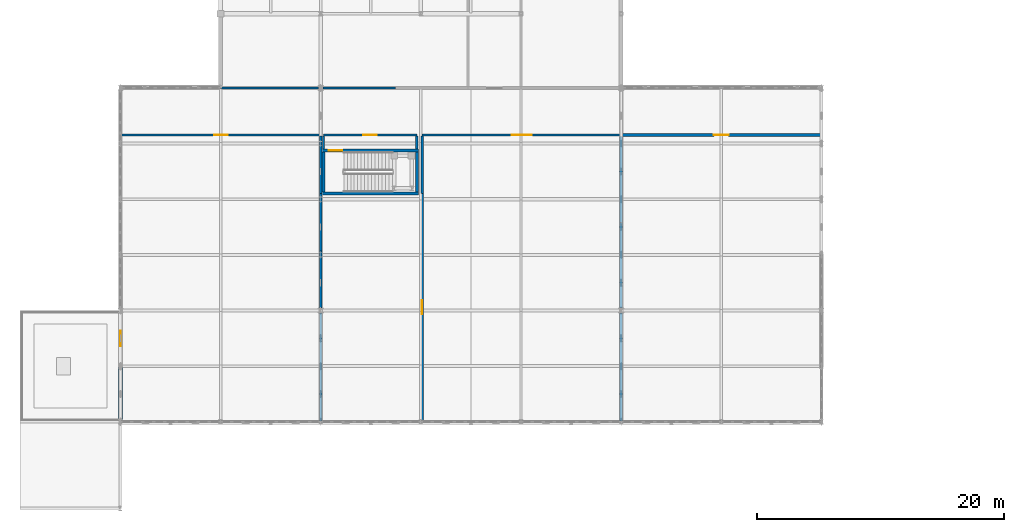
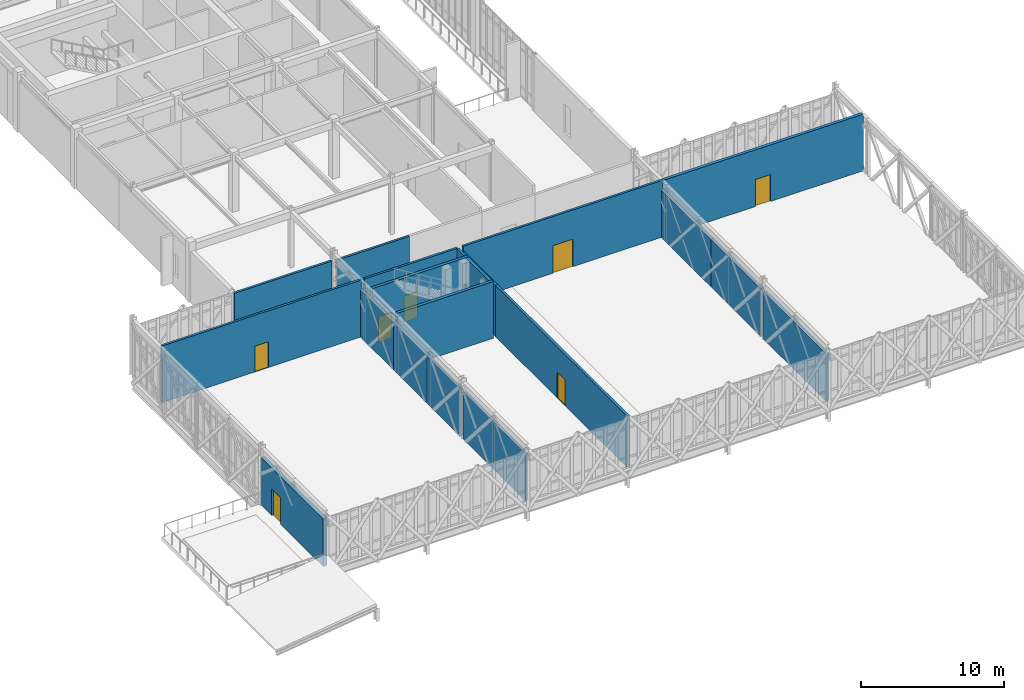
# One storey, part 92 of 107: 22 walls, 7 doors, 7 openings.
"""IFC4 building model written with IfcOpenShell, lengths in metres."""

import ifcopenshell
import ifcopenshell.guid

model = None  # the IFC model being written
_history = None  # IfcOwnerHistory: only IFC2X3 demands one
_inside = {}  # id of a spatial element -> (the spatial element, [elements in it])
_under = {}  # id of a project, library or spatial element -> (it, [spatial elements below it])
_declared = {}  # id of a project -> (the project, [libraries it declares])
_typed = {}  # id of a type object -> (the type object, [elements of that type])
_made_of = {}  # id of a material, layer set ... -> (it, [elements and type objects made of it])


def new_model(schema):
    """Start an empty IFC model of exactly this schema.

    Asked for "IFC4X3", IfcOpenShell would pick the latest addendum, in which some entities
    have other attributes; the version numbers below select the first issue.
    IFC2X3 requires an IfcOwnerHistory on every rooted entity: one is made here for all.
    """
    global model, _history
    if schema == "IFC4X3":
        model = ifcopenshell.file(schema_version=(4, 3, 0, 0))
    else:
        model = ifcopenshell.file(schema=schema)
    _inside.clear()
    _under.clear()
    _declared.clear()
    _typed.clear()
    _made_of.clear()
    _history = None
    if model.schema == "IFC2X3":
        org = make("IfcOrganization", Name="unknown")
        user = make(
            "IfcPersonAndOrganization",
            ThePerson=make("IfcPerson", FamilyName="unknown"),
            TheOrganization=org,
        )
        app = make(
            "IfcApplication",
            ApplicationDeveloper=org,
            Version="unknown",
            ApplicationFullName="unknown",
            ApplicationIdentifier="unknown",
        )
        _history = make(
            "IfcOwnerHistory",
            OwningUser=user,
            OwningApplication=app,
            ChangeAction="ADDED",
            CreationDate=0,
        )
    return model


def make(cls, **values):
    """One entity of the class cls with the attributes given. An attribute that is None is left unset."""
    return model.create_entity(
        cls, **{name: value for name, value in values.items() if value is not None}
    )


def rooted(cls, **values):
    """An entity with a GlobalId (a new one), such as an element, a storey or a relation."""
    return make(cls, GlobalId=ifcopenshell.guid.new(), OwnerHistory=_history, **values)


def si_unit(unit_type, name, prefix=None):
    """IfcSIUnit, for example si_unit("LENGTHUNIT", "METRE", prefix="MILLI")."""
    return make("IfcSIUnit", UnitType=unit_type, Prefix=prefix, Name=name)


def assignment(units):
    """IfcUnitAssignment: the units of a project."""
    return None if units is None else make("IfcUnitAssignment", Units=units)


def point(xyz):
    """IfcCartesianPoint."""
    return None if xyz is None else make("IfcCartesianPoint", Coordinates=xyz)


def direction(xyz):
    """IfcDirection."""
    return None if xyz is None else make("IfcDirection", DirectionRatios=xyz)


def frame(location, z_axis=None, x_axis=None):
    """IfcAxis2Placement3D, a coordinate frame: its origin and axes. An axis left out is left unset."""
    return make(
        "IfcAxis2Placement3D",
        Location=point(location),
        Axis=direction(z_axis),
        RefDirection=direction(x_axis),
    )


def frame_2d(location, x_axis=None):
    """IfcAxis2Placement2D, a coordinate frame in the plane: its origin and x axis."""
    return make(
        "IfcAxis2Placement2D", Location=point(location), RefDirection=direction(x_axis)
    )


def origin():
    """The frame at (0, 0, 0) with its axes left unset."""
    return frame((0.0, 0.0, 0.0))


def place(relative_to, where):
    """IfcLocalPlacement: puts the frame where relative to a parent placement (None: the world)."""
    return make(
        "IfcLocalPlacement", PlacementRelTo=relative_to, RelativePlacement=where
    )


def context(
    kind, dimensions, precision=None, world=None, true_north=None, identifier=None
):
    """IfcGeometricRepresentationContext, for example the 3D "Model" context."""
    return make(
        "IfcGeometricRepresentationContext",
        ContextIdentifier=identifier,
        ContextType=kind,
        CoordinateSpaceDimension=dimensions,
        Precision=precision,
        WorldCoordinateSystem=world,
        TrueNorth=true_north,
    )


def subcontext(parent, identifier, kind, view, scale=None):
    """IfcGeometricRepresentationSubContext, for example "Body" below "Model"."""
    return make(
        "IfcGeometricRepresentationSubContext",
        ContextIdentifier=identifier,
        ContextType=kind,
        ParentContext=parent,
        TargetScale=scale,
        TargetView=view,
    )


def project(units=None, contexts=None):
    """IfcProject with its units and contexts."""
    return rooted(
        "IfcProject",
        Name="project",
        RepresentationContexts=contexts,
        UnitsInContext=assignment(units),
    )


def spatial(cls, under=None, at=None, **own):
    """A site, building, storey or space (cls), placed at a placement, below another one or the project."""
    s = rooted(cls, ObjectPlacement=at, **own)
    if under is not None:
        _under.setdefault(under.id(), (under, []))[1].append(s)
    return s


def profile(cls, at=None, kind="AREA", **sizes):
    """A parametric profile (cls). Its sizes go by their IFC names, for example OverallWidth=200.0."""
    return make(cls, ProfileType=kind, Position=at, **sizes)


def rectangle(**sizes):
    """IfcRectangleProfileDef."""
    return profile("IfcRectangleProfileDef", **sizes)


def extrude(swept, where, along, depth):
    """IfcExtrudedAreaSolid: the profile swept, set in the frame where, extruded along a direction by depth."""
    return make(
        "IfcExtrudedAreaSolid",
        SweptArea=swept,
        Position=where,
        ExtrudedDirection=direction(along),
        Depth=depth,
    )


def shape(context_of_items, identifier, shape_type, items):
    """IfcShapeRepresentation: the items that make up one representation, for example the "Body"."""
    return make(
        "IfcShapeRepresentation",
        ContextOfItems=context_of_items,
        RepresentationIdentifier=identifier,
        RepresentationType=shape_type,
        Items=items,
    )


def material(Name=None, Category=None):
    """IfcMaterial."""
    return make("IfcMaterial", Name=Name, Category=Category)


def layer(
    of_material, thickness, ventilated=None, Name=None, Category=None, Priority=None
):
    """IfcMaterialLayer: one layer of a wall or slab, of a material (None: an air gap)."""
    return make(
        "IfcMaterialLayer",
        Material=of_material,
        LayerThickness=thickness,
        IsVentilated=ventilated,
        Name=Name,
        Category=Category,
        Priority=Priority,
    )


def layer_set(layers, Name=None):
    """IfcMaterialLayerSet."""
    return make("IfcMaterialLayerSet", MaterialLayers=layers, LayerSetName=Name)


def made_of(thing, what):
    """Note that an element or type object is made of a material, layer set ...; save() writes the relation."""
    if what is not None:
        _made_of.setdefault(what.id(), (what, []))[1].append(thing)
    return thing


def type_object(cls, material=None, **own):
    """A type object (cls), such as IfcWallType, which elements share."""
    return made_of(rooted(cls, **own), material)


def element(
    cls,
    number,
    at=None,
    inside=None,
    cuts=None,
    type_object=None,
    material=None,
    context=None,
    identifier="Body",
    shape_type=None,
    held_by="IfcProductDefinitionShape",
    body=None,
    shapes=None,
    **own,
):
    """One element of the class cls, such as IfcWall. Its Tag is "e" and its number.

    at: its placement. inside: the storey or other place that contains it. cuts: it is an
    opening in that element (IfcRelVoidsElement). A single representation is given by context,
    identifier, shape_type and body (its items); several are given by shapes. held_by: the class
    of the entity that holds the representations. save() writes the other relations.
    """
    e = rooted(cls, Tag="e%d" % number, ObjectPlacement=at, **own)
    if body is not None:
        shapes = [shape(context, identifier, shape_type, body)]
    if shapes is not None:
        e.Representation = make(held_by, Representations=shapes)
    if inside is not None:
        _inside.setdefault(inside.id(), (inside, []))[1].append(e)
    if cuts is not None:
        rooted(
            "IfcRelVoidsElement", RelatingBuildingElement=cuts, RelatedOpeningElement=e
        )
    if type_object is not None:
        _typed.setdefault(type_object.id(), (type_object, []))[1].append(e)
    return made_of(e, material)


def fill(opening, filler):
    """IfcRelFillsElement: the door or window that sits in an opening."""
    return rooted(
        "IfcRelFillsElement",
        RelatingOpeningElement=opening,
        RelatedBuildingElement=filler,
    )


def aggregate(whole, parts):
    """IfcRelAggregates: a whole, such as a stair, and the parts it consists of."""
    return rooted("IfcRelAggregates", RelatingObject=whole, RelatedObjects=parts)


def save(model, path):
    """Write the relations noted so far, then the file.

    IfcRelAggregates (storeys below a building ...), IfcRelContainedInSpatialStructure (elements
    in a storey), IfcRelDefinesByType, IfcRelAssociatesMaterial and IfcRelDeclares: one each for
    every whole, place, type object, material and project.
    """
    for whole, parts in _under.values():
        aggregate(whole, parts)
    for where, things in _inside.values():
        rooted(
            "IfcRelContainedInSpatialStructure",
            RelatedElements=things,
            RelatingStructure=where,
        )
    for kind, things in _typed.values():
        rooted("IfcRelDefinesByType", RelatedObjects=things, RelatingType=kind)
    for what, things in _made_of.values():
        rooted("IfcRelAssociatesMaterial", RelatedObjects=things, RelatingMaterial=what)
    for by, libraries in _declared.values():
        rooted("IfcRelDeclares", RelatingContext=by, RelatedDefinitions=libraries)
    model.write(path)


model = new_model("IFC4")

# Units and contexts
model_context = context("Model", 3, precision=1e-05, world=origin(), true_north=direction((0.0, 1.0)))
body_context = subcontext(model_context, "Body", "Model", "MODEL_VIEW")
ifc_project = project(units=[si_unit("LENGTHUNIT", "METRE"), si_unit("AREAUNIT", "SQUARE_METRE"), si_unit("VOLUMEUNIT", "CUBIC_METRE"), si_unit("PLANEANGLEUNIT", "RADIAN"), si_unit("MASSUNIT", "GRAM", prefix="KILO")], contexts=[model_context])

# Site, building, storey
site_placement = place(None, origin())
site = spatial("IfcSite", under=ifc_project, at=site_placement, CompositionType="ELEMENT")
building_placement = place(site_placement, origin())
building = spatial("IfcBuilding", under=site, at=building_placement, Name="Tarnveldt Square Police Headquarters", CompositionType="ELEMENT")
storey_placement = place(building_placement, frame((0.0, 0.0, 14.699951171875)))
storey = spatial("IfcBuildingStorey", under=building, at=storey_placement, Name="L03", CompositionType="ELEMENT", Elevation=14.699951171875)

# Walls
ifc_material_1 = material(Name="Fire-rated Type X gypsum board on steel studs", Category="steel")
ifc_layer_1 = layer(ifc_material_1, 0.199951171875)
ifc_layer_set_1 = layer_set([ifc_layer_1], Name="Fire-rated Type X gypsum board on steel studs")
wall_type_1 = type_object("IfcWallType", Name="WL-ACOUST-200", PredefinedType="PARTITIONING", material=ifc_layer_set_1)
wall_1_placement = place(storey_placement, frame((24.300048828125, 7.06494140625, 0.0), z_axis=(0.0, 0.0, 1.0), x_axis=(0.0, 1.0, 0.0)))
element("IfcWall", 1, at=wall_1_placement, inside=storey, type_object=wall_type_1, Name="L03 Interior Partition Wall 0478", PredefinedType="PARTITIONING", context=body_context, shape_type="SweptSolid", body=[
    extrude(rectangle(XDim=8.739990234375, YDim=0.199951171875, at=frame_2d((4.3701171875, 0.0))), origin(), (0.0, 0.0, 1.0), 4.066162109375),
])
wall_2_placement = place(storey_placement, frame((24.300048828125, 16.195068359375, 0.0), z_axis=(0.0, 0.0, 1.0), x_axis=(0.0, 1.0, 0.0)))
element("IfcWall", 2, at=wall_2_placement, inside=storey, type_object=wall_type_1, Name="L03 Interior Partition Wall 0479", PredefinedType="PARTITIONING", context=body_context, shape_type="SweptSolid", body=[
    extrude(rectangle(XDim=4.63232421875, YDim=0.199951171875, at=frame_2d((2.316162109375, 0.0))), origin(), (0.0, 0.0, 1.0), 4.066162109375),
])
wall_3_placement = place(storey_placement, frame((24.300048828125, 20.827392578125, 0.0), z_axis=(0.0, 0.0, 1.0), x_axis=(0.0, 1.0, 0.0)))
element("IfcWall", 3, at=wall_3_placement, inside=storey, type_object=wall_type_1, Name="L03 Interior Partition Wall 0480", PredefinedType="PARTITIONING", context=body_context, shape_type="SweptSolid", body=[
    extrude(rectangle(XDim=4.632568359375, YDim=0.199951171875, at=frame_2d((2.31640625, 0.0))), origin(), (0.0, 0.0, 1.0), 4.066162109375),
])
wall_4_placement = place(storey_placement, frame((24.300048828125, 25.4599609375, 0.0), z_axis=(0.0, 0.0, 1.0), x_axis=(0.0, 1.0, 0.0)))
element("IfcWall", 4, at=wall_4_placement, inside=storey, type_object=wall_type_1, Name="L03 Interior Partition Wall 0481", PredefinedType="PARTITIONING", context=body_context, shape_type="SweptSolid", body=[
    extrude(rectangle(XDim=4.64208984375, YDim=0.199951171875, at=frame_2d((2.321044921875, 0.0))), origin(), (0.0, 0.0, 1.0), 4.066162109375),
])

# Wall, opening, door
wall_5_placement = place(storey_placement, frame((32.5, 7.06494140625, 0.0), z_axis=(0.0, 0.0, 1.0), x_axis=(0.0, 1.0, 0.0)))
wall_5 = element("IfcWall", 5, at=wall_5_placement, inside=storey, type_object=wall_type_1, Name="L03 Interior Partition Wall 0488", PredefinedType="PARTITIONING", context=body_context, shape_type="SweptSolid", body=[
    extrude(rectangle(XDim=18.39501953125, YDim=0.199951171875, at=frame_2d((9.197509765625, 0.0))), origin(), (0.0, 0.0, 1.0), 4.369140625),
])
opening_1_placement = place(wall_5_placement, frame((8.6474609375, 0.0, 0.0)))
opening_1 = element("IfcOpeningElement", 6, at=opening_1_placement, cuts=wall_5, Name="Opening D07", PredefinedType="OPENING", context=body_context, shape_type="SweptSolid", body=[
    extrude(rectangle(XDim=1.10009765625, YDim=2.199951171875, at=frame_2d((0.550048828125, 1.10009765625))), frame((0.0, 0.10986328125, 0.0), z_axis=(0.0, -1.0, 0.0), x_axis=(1.0, 0.0, 0.0)), (0.0, 0.0, 1.0), 0.219970703125),
])
ifc_material_2 = material(Name="Solid core architectural birch door leaf", Category="wood")
door_type_1 = type_object("IfcDoorType", Name="DR-INT-1100", OperationType="NOTDEFINED", PredefinedType="DOOR", material=ifc_material_2)
door_1_placement = place(opening_1_placement, origin())
door_1 = element("IfcDoor", 7, at=door_1_placement, inside=storey, type_object=door_type_1, Name="Dispatch Duty Watch Supervisor Control Room Door", OperationType="SINGLE_SWING_LEFT", OverallHeight=2.199951171875, OverallWidth=1.10009765625, PredefinedType="DOOR", context=body_context, shape_type="SweptSolid", body=[
    extrude(rectangle(XDim=1.10009765625, YDim=2.199951171875, at=frame_2d((0.550048828125, 1.10009765625))), frame((0.0, 0.02490234375, 0.0), z_axis=(0.0, -1.0, 0.0), x_axis=(1.0, 0.0, 0.0)), (0.0, 0.0, 1.0), 0.050048828125),
])
fill(opening_1, door_1)

# Wall
wall_6_placement = place(storey_placement, frame((32.5, 25.4599609375, 0.0), z_axis=(0.0, 0.0, 1.0), x_axis=(0.0, 1.0, 0.0)))
element("IfcWall", 8, at=wall_6_placement, inside=storey, type_object=wall_type_1, Name="L03 Interior Partition Wall 0489", PredefinedType="PARTITIONING", context=body_context, shape_type="SweptSolid", body=[
    extrude(rectangle(XDim=4.64208984375, YDim=0.199951171875, at=frame_2d((2.321044921875, 0.0))), origin(), (0.0, 0.0, 1.0), 4.369140625),
])

# Wall, opening, door
ifc_material_3 = material(Name="Manganese ironspot clay brick masonry 20 MPa", Category="masonry")
ifc_layer_2 = layer(ifc_material_3, 0.300048828125)
ifc_layer_set_2 = layer_set([ifc_layer_2], Name="Manganese ironspot clay brick masonry 20 MPa")
wall_type_2 = type_object("IfcWallType", Name="WL-EXT-BRK300", PredefinedType="SOLIDWALL", material=ifc_layer_set_2)
wall_7_placement = place(storey_placement, frame((8.10009765625, 15.820068359375, 0.0), z_axis=(0.0, 0.0, 1.0), x_axis=(0.0, -1.0, 0.0)))
wall_7 = element("IfcWall", 9, at=wall_7_placement, inside=storey, type_object=wall_type_2, Name="L03 Brutalist Exterior Wall 0184", PredefinedType="SOLIDWALL", context=body_context, shape_type="SweptSolid", body=[
    extrude(rectangle(XDim=8.64013671875, YDim=0.300048828125, at=frame_2d((4.320068359375, 0.0))), origin(), (0.0, 0.0, 1.0), 4.066162109375),
])
opening_2_placement = place(wall_7_placement, frame((1.445068359375, 0.0, 0.0)))
opening_2 = element("IfcOpeningElement", 10, at=opening_2_placement, cuts=wall_7, Name="Opening DT2", PredefinedType="OPENING", context=body_context, shape_type="SweptSolid", body=[
    extrude(rectangle(XDim=1.25, YDim=2.25, at=frame_2d((0.625, 1.125))), frame((0.0, 0.159912109375, 0.0), z_axis=(0.0, -1.0, 0.0), x_axis=(1.0, 0.0, 0.0)), (0.0, 0.0, 1.0), 0.320068359375),
])
ifc_material_4 = material(Name="Thermally broken anodised aluminium 6063-T6", Category="aluminium")
door_type_2 = type_object("IfcDoorType", Name="DR-TER-1250", OperationType="NOTDEFINED", PredefinedType="DOOR", material=ifc_material_4)
door_2_placement = place(opening_2_placement, frame((1.25, 0.0, 0.0), z_axis=(0.0, 0.0, 1.0), x_axis=(-1.0, 0.0, 0.0)))
door_2 = element("IfcDoor", 11, at=door_2_placement, inside=storey, type_object=door_type_2, Name="South-West Civic Roof Terrace Access Door", OperationType="SINGLE_SWING_LEFT", OverallHeight=2.25, OverallWidth=1.25, PredefinedType="DOOR", context=body_context, shape_type="SweptSolid", body=[
    extrude(rectangle(XDim=1.25, YDim=2.25, at=frame_2d((0.625, 1.125))), frame((0.0, 0.02490234375, 0.0), z_axis=(0.0, -1.0, 0.0), x_axis=(1.0, 0.0, 0.0)), (0.0, 0.0, 1.0), 0.050048828125),
])
fill(opening_2, door_2)

ifc_layer_3 = layer(ifc_material_1, 0.179931640625)
ifc_layer_set_3 = layer_set([ifc_layer_3], Name="Fire-rated Type X gypsum board on steel studs")
wall_type_3 = type_object("IfcWallType", Name="WL-FIRE-180", PredefinedType="PARTITIONING", material=ifc_layer_set_3)
wall_8_placement = place(storey_placement, frame((8.1650390625, 30.199951171875, 0.0), z_axis=(0.0, 0.0, 1.0), x_axis=(1.0, 0.0, 0.0)))
wall_8 = element("IfcWall", 12, at=wall_8_placement, inside=storey, type_object=wall_type_3, Name="L03 Interior Partition Wall 0433", PredefinedType="PARTITIONING", context=body_context, shape_type="SweptSolid", body=[
    extrude(rectangle(XDim=16.135009765625, YDim=0.179931640625, at=frame_2d((8.0673828125, 0.0))), origin(), (0.0, 0.0, 1.0), 4.840087890625),
])
opening_3_placement = place(wall_8_placement, frame((7.517578125, 0.0, 0.0)))
opening_3 = element("IfcOpeningElement", 13, at=opening_3_placement, cuts=wall_8, Name="Opening D07", PredefinedType="OPENING", context=body_context, shape_type="SweptSolid", body=[
    extrude(rectangle(XDim=1.10009765625, YDim=2.199951171875, at=frame_2d((0.550048828125, 1.10009765625))), frame((0.0, 0.099853515625, 0.0), z_axis=(0.0, -1.0, 0.0), x_axis=(1.0, 0.0, 0.0)), (0.0, 0.0, 1.0), 0.199951171875),
])
door_3_placement = place(opening_3_placement, frame((1.10009765625, 0.0, 0.0), z_axis=(0.0, 0.0, 1.0), x_axis=(-1.0, 0.0, 0.0)))
door_3 = element("IfcDoor", 14, at=door_3_placement, inside=storey, type_object=door_type_1, Name="Tactical Radio Channels Control Room Door", OperationType="SINGLE_SWING_RIGHT", OverallHeight=2.199951171875, OverallWidth=1.10009765625, PredefinedType="DOOR", context=body_context, shape_type="SweptSolid", body=[
    extrude(rectangle(XDim=1.10009765625, YDim=2.199951171875, at=frame_2d((0.550048828125, 1.10009765625))), frame((0.0, 0.02490234375, 0.0), z_axis=(0.0, -1.0, 0.0), x_axis=(1.0, 0.0, 0.0)), (0.0, 0.0, 1.0), 0.050048828125),
])
fill(opening_3, door_3)

# Walls
wall_9_placement = place(storey_placement, frame((16.2099609375, 34.0, 0.0), z_axis=(0.0, 0.0, 1.0), x_axis=(1.0, 0.0, 0.0)))
element("IfcWall", 15, at=wall_9_placement, inside=storey, type_object=wall_type_3, Name="L03 Interior Partition Wall 0434", PredefinedType="PARTITIONING", context=body_context, shape_type="SweptSolid", body=[
    extrude(rectangle(XDim=7.89501953125, YDim=0.179931640625, at=frame_2d((3.947509765625, 0.0))), origin(), (0.0, 0.0, 1.0), 4.219970703125),
])
wall_10_placement = place(storey_placement, frame((24.4951171875, 34.0, 0.0), z_axis=(0.0, 0.0, 1.0), x_axis=(1.0, 0.0, 0.0)))
element("IfcWall", 16, at=wall_10_placement, inside=storey, type_object=wall_type_3, Name="L03 Interior Partition Wall 0435", PredefinedType="PARTITIONING", context=body_context, shape_type="SweptSolid", body=[
    extrude(rectangle(XDim=5.852294921875, YDim=0.179931640625, at=frame_2d((2.92626953125, 0.0))), origin(), (0.0, 0.0, 1.0), 4.14404296875),
])

# Wall, opening, door
wall_11_placement = place(storey_placement, frame((24.530029296875, 30.199951171875, 0.0), z_axis=(0.0, 0.0, 1.0), x_axis=(1.0, 0.0, 0.0)))
wall_11 = element("IfcWall", 17, at=wall_11_placement, inside=storey, type_object=wall_type_3, Name="L03 Interior Partition Wall 0447", PredefinedType="PARTITIONING", context=body_context, shape_type="SweptSolid", body=[
    extrude(rectangle(XDim=7.5400390625, YDim=0.179931640625, at=frame_2d((3.77001953125, 0.0))), origin(), (0.0, 0.0, 1.0), 4.840087890625),
])
opening_4_placement = place(wall_11_placement, frame((3.219970703125, 0.0, 0.0)))
opening_4 = element("IfcOpeningElement", 18, at=opening_4_placement, cuts=wall_11, Name="Opening D15", PredefinedType="OPENING", context=body_context, shape_type="SweptSolid", body=[
    extrude(rectangle(XDim=1.10009765625, YDim=2.199951171875, at=frame_2d((0.550048828125, 1.10009765625))), frame((0.0, 0.099853515625, 0.0), z_axis=(0.0, -1.0, 0.0), x_axis=(1.0, 0.0, 0.0)), (0.0, 0.0, 1.0), 0.199951171875),
])
ifc_material_5 = material(Name="Insulated hollow metal steel door leaf", Category="steel")
door_type_3 = type_object("IfcDoorType", Name="DR-FD60-1100", OperationType="NOTDEFINED", PredefinedType="DOOR", material=ifc_material_5)
door_4_placement = place(opening_4_placement, origin())
door_4 = element("IfcDoor", 19, at=door_4_placement, inside=storey, type_object=door_type_3, Name="Exit Stair ST6 Vestibule L03 Door", OperationType="SINGLE_SWING_LEFT", OverallHeight=2.199951171875, OverallWidth=1.10009765625, PredefinedType="DOOR", context=body_context, shape_type="SweptSolid", body=[
    extrude(rectangle(XDim=1.10009765625, YDim=2.199951171875, at=frame_2d((0.550048828125, 1.10009765625))), frame((0.0, 0.02490234375, 0.0), z_axis=(0.0, -1.0, 0.0), x_axis=(1.0, 0.0, 0.0)), (0.0, 0.0, 1.0), 0.050048828125),
])
fill(opening_4, door_4)

wall_12_placement = place(storey_placement, frame((32.5, 30.199951171875, 0.0), z_axis=(0.0, 0.0, 1.0), x_axis=(1.0, 0.0, 0.0)))
wall_12 = element("IfcWall", 20, at=wall_12_placement, inside=storey, type_object=wall_type_3, Name="L03 Interior Partition Wall 0456", PredefinedType="PARTITIONING", context=body_context, shape_type="SweptSolid", body=[
    extrude(rectangle(XDim=16.10009765625, YDim=0.179931640625, at=frame_2d((8.050048828125, 0.0))), origin(), (0.0, 0.0, 1.0), 4.840087890625),
])
opening_5_placement = place(wall_12_placement, frame((7.25, 0.0, 0.0)))
opening_5 = element("IfcOpeningElement", 21, at=opening_5_placement, cuts=wall_12, Name="Opening D23", PredefinedType="OPENING", context=body_context, shape_type="SweptSolid", body=[
    extrude(rectangle(XDim=1.60009765625, YDim=2.35009765625, at=frame_2d((0.800048828125, 1.175048828125))), frame((0.0, 0.099853515625, 0.0), z_axis=(0.0, -1.0, 0.0), x_axis=(1.0, 0.0, 0.0)), (0.0, 0.0, 1.0), 0.199951171875),
])
door_type_4 = type_object("IfcDoorType", Name="DR-PAIR-1600", OperationType="DOUBLE_DOOR_SINGLE_SWING", PredefinedType="DOOR", material=ifc_material_2)
door_5_placement = place(opening_5_placement, frame((1.60009765625, 0.0, 0.0), z_axis=(0.0, 0.0, 1.0), x_axis=(-1.0, 0.0, 0.0)))
door_5 = element("IfcDoor", 22, at=door_5_placement, inside=storey, type_object=door_type_4, Name="Emergency 911 Dispatch Control Room Door", OperationType="DOUBLE_DOOR_SINGLE_SWING", OverallHeight=2.35009765625, OverallWidth=1.60009765625, PredefinedType="DOOR", context=body_context, shape_type="SweptSolid", body=[
    extrude(rectangle(XDim=1.60009765625, YDim=2.35009765625, at=frame_2d((0.800048828125, 1.175048828125))), frame((0.0, 0.02490234375, 0.0), z_axis=(0.0, -1.0, 0.0), x_axis=(1.0, 0.0, 0.0)), (0.0, 0.0, 1.0), 0.050048828125),
])
fill(opening_5, door_5)

# Walls
wall_13_placement = place(storey_placement, frame((24.530029296875, 29.068115234375, 0.0), z_axis=(0.0, 0.0, 1.0), x_axis=(0.0, 1.0, 0.0)))
element("IfcWall", 23, at=wall_13_placement, inside=storey, type_object=wall_type_3, Name="L03 Interior Partition Wall 0482", PredefinedType="PARTITIONING", context=body_context, shape_type="SweptSolid", body=[
    extrude(rectangle(XDim=1.033935546875, YDim=0.179931640625, at=frame_2d((0.51708984375, 0.0))), origin(), (0.0, 0.0, 1.0), 4.066162109375),
])
wall_14_placement = place(storey_placement, frame((32.070068359375, 29.068115234375, 0.0), z_axis=(0.0, 0.0, 1.0), x_axis=(0.0, 1.0, 0.0)))
element("IfcWall", 24, at=wall_14_placement, inside=storey, type_object=wall_type_3, Name="L03 Interior Partition Wall 0487", PredefinedType="PARTITIONING", context=body_context, shape_type="SweptSolid", body=[
    extrude(rectangle(XDim=1.033935546875, YDim=0.179931640625, at=frame_2d((0.51708984375, 0.0))), origin(), (0.0, 0.0, 1.0), 4.840087890625),
])
ifc_material_6 = material(Name="Concrete block masonry 15 MPa", Category="masonry")
ifc_layer_4 = layer(ifc_material_6, 0.239990234375)
ifc_layer_set_4 = layer_set([ifc_layer_4], Name="Concrete block masonry 15 MPa")
wall_type_4 = type_object("IfcWallType", Name="WL-FIRE-240", PredefinedType="PARTITIONING", material=ifc_layer_set_4)
wall_15_placement = place(storey_placement, frame((24.409912109375, 25.4599609375, 0.0), z_axis=(0.0, 0.0, 1.0), x_axis=(1.0, 0.0, 0.0)))
element("IfcWall", 25, at=wall_15_placement, inside=storey, type_object=wall_type_4, Name="Exit Stair ST6 L03 S Enclosure Wall", PredefinedType="PARTITIONING", context=body_context, shape_type="SweptSolid", body=[
    extrude(rectangle(XDim=7.780029296875, YDim=0.239990234375, at=frame_2d((3.89013671875, 0.0))), origin(), (0.0, 0.0, 1.0), 4.840087890625),
])

# Wall, opening, door
wall_16_placement = place(storey_placement, frame((24.409912109375, 28.93994140625, 0.0), z_axis=(0.0, 0.0, 1.0), x_axis=(1.0, 0.0, 0.0)))
wall_16 = element("IfcWall", 26, at=wall_16_placement, inside=storey, type_object=wall_type_4, Name="Exit Stair ST6 L03 N Enclosure Wall", PredefinedType="PARTITIONING", context=body_context, shape_type="SweptSolid", body=[
    extrude(rectangle(XDim=7.780029296875, YDim=0.239990234375, at=frame_2d((3.89013671875, 0.0))), origin(), (0.0, 0.0, 1.0), 4.840087890625),
])
opening_6_placement = place(wall_16_placement, frame((0.5400390625, 0.0, 0.0)))
opening_6 = element("IfcOpeningElement", 27, at=opening_6_placement, cuts=wall_16, Name="Opening D-ST6-L03", PredefinedType="OPENING", context=body_context, shape_type="SweptSolid", body=[
    extrude(rectangle(XDim=1.10009765625, YDim=2.199951171875, at=frame_2d((0.550048828125, 1.10009765625))), frame((0.0, 0.1298828125, 0.0), z_axis=(0.0, -1.0, 0.0), x_axis=(1.0, 0.0, 0.0)), (0.0, 0.0, 1.0), 0.260009765625),
])
door_type_5 = type_object("IfcDoorType", Name="DR-FD90-1100", OperationType="NOTDEFINED", PredefinedType="DOOR", material=ifc_material_5)
door_6_placement = place(opening_6_placement, frame((1.10009765625, 0.0, 0.0), z_axis=(0.0, 0.0, 1.0), x_axis=(-1.0, 0.0, 0.0)))
door_6 = element("IfcDoor", 28, at=door_6_placement, inside=storey, type_object=door_type_5, Name="Exit Stair ST6 L03 Fire Door", OperationType="SINGLE_SWING_LEFT", OverallHeight=2.199951171875, OverallWidth=1.10009765625, PredefinedType="DOOR", context=body_context, shape_type="SweptSolid", body=[
    extrude(rectangle(XDim=1.10009765625, YDim=2.199951171875, at=frame_2d((0.550048828125, 1.10009765625))), frame((0.0, 0.02490234375, 0.0), z_axis=(0.0, -1.0, 0.0), x_axis=(1.0, 0.0, 0.0)), (0.0, 0.0, 1.0), 0.050048828125),
])
fill(opening_6, door_6)

# Walls
wall_17_placement = place(storey_placement, frame((24.530029296875, 25.590087890625, 0.0), z_axis=(0.0, 0.0, 1.0), x_axis=(0.0, 1.0, 0.0)))
element("IfcWall", 29, at=wall_17_placement, inside=storey, type_object=wall_type_4, Name="Exit Stair ST6 L03 W Enclosure Wall", PredefinedType="PARTITIONING", context=body_context, shape_type="SweptSolid", body=[
    extrude(rectangle(XDim=3.219970703125, YDim=0.239990234375, at=frame_2d((1.60986328125, 0.0))), origin(), (0.0, 0.0, 1.0), 4.066162109375),
])
wall_18_placement = place(storey_placement, frame((32.070068359375, 25.590087890625, 0.0), z_axis=(0.0, 0.0, 1.0), x_axis=(0.0, 1.0, 0.0)))
element("IfcWall", 30, at=wall_18_placement, inside=storey, type_object=wall_type_4, Name="Exit Stair ST6 L03 E Enclosure Wall", PredefinedType="PARTITIONING", context=body_context, shape_type="SweptSolid", body=[
    extrude(rectangle(XDim=3.219970703125, YDim=0.239990234375, at=frame_2d((1.60986328125, 0.0))), origin(), (0.0, 0.0, 1.0), 4.840087890625),
])

# Wall, opening, door
wall_19_placement = place(storey_placement, frame((48.60009765625, 30.199951171875, 0.0), z_axis=(0.0, 0.0, 1.0), x_axis=(1.0, 0.0, 0.0)))
wall_19 = element("IfcWall", 31, at=wall_19_placement, inside=storey, type_object=wall_type_4, Name="L03 Interior Partition Wall 0468", PredefinedType="PARTITIONING", context=body_context, shape_type="SweptSolid", body=[
    extrude(rectangle(XDim=16.18994140625, YDim=0.239990234375, at=frame_2d((8.094970703125, 0.0))), origin(), (0.0, 0.0, 1.0), 4.840087890625),
])
opening_7_placement = place(wall_19_placement, frame((7.4951171875, 0.0, 0.0)))
opening_7 = element("IfcOpeningElement", 32, at=opening_7_placement, cuts=wall_19, Name="Opening D20", PredefinedType="OPENING", context=body_context, shape_type="SweptSolid", body=[
    extrude(rectangle(XDim=1.199951171875, YDim=2.300048828125, at=frame_2d((0.60009765625, 1.14990234375))), frame((0.0, 0.1298828125, 0.0), z_axis=(0.0, -1.0, 0.0), x_axis=(1.0, 0.0, 0.0)), (0.0, 0.0, 1.0), 0.260009765625),
])
door_type_6 = type_object("IfcDoorType", Name="DR-FD90-1200", OperationType="NOTDEFINED", PredefinedType="DOOR", material=ifc_material_5)
door_7_placement = place(opening_7_placement, frame((1.199951171875, 0.0, 0.0), z_axis=(0.0, 0.0, 1.0), x_axis=(-1.0, 0.0, 0.0)))
door_7 = element("IfcDoor", 33, at=door_7_placement, inside=storey, type_object=door_type_6, Name="CAD Mission-Critical Server Data Room Door", OperationType="SINGLE_SWING_RIGHT", OverallHeight=2.300048828125, OverallWidth=1.199951171875, PredefinedType="DOOR", context=body_context, shape_type="SweptSolid", body=[
    extrude(rectangle(XDim=1.199951171875, YDim=2.300048828125, at=frame_2d((0.60009765625, 1.14990234375))), frame((0.0, 0.02490234375, 0.0), z_axis=(0.0, -1.0, 0.0), x_axis=(1.0, 0.0, 0.0)), (0.0, 0.0, 1.0), 0.050048828125),
])
fill(opening_7, door_7)

# Walls
wall_20_placement = place(storey_placement, frame((48.60009765625, 7.06494140625, 0.0), z_axis=(0.0, 0.0, 1.0), x_axis=(0.0, 1.0, 0.0)))
element("IfcWall", 34, at=wall_20_placement, inside=storey, type_object=wall_type_4, Name="L03 Interior Partition Wall 0515", PredefinedType="PARTITIONING", context=body_context, shape_type="SweptSolid", body=[
    extrude(rectangle(XDim=8.739990234375, YDim=0.239990234375, at=frame_2d((4.3701171875, 0.0))), origin(), (0.0, 0.0, 1.0), 4.066162109375),
])
for number, where, z_axis, x_axis, name in (
    (35, (48.60009765625, 16.195068359375, 0.0), (0.0, 0.0, 1.0), (0.0, 1.0, 0.0), "L03 Interior Partition Wall 0516"),
    (36, (48.60009765625, 23.133544921875, 0.0), (0.0, 0.0, 1.0), (0.0, 1.0, 0.0), "L03 Interior Partition Wall 0517"),
):
    element("IfcWall", number, at=place(storey_placement, frame(where, z_axis=z_axis, x_axis=x_axis)), inside=storey, type_object=wall_type_4, Name=name, PredefinedType="PARTITIONING", context=body_context, shape_type="SweptSolid", body=[
        extrude(rectangle(XDim=6.9384765625, YDim=0.239990234375, at=frame_2d((3.46923828125, 0.0))), origin(), (0.0, 0.0, 1.0), 4.066162109375),
    ])

save(model, "model.ifc")
